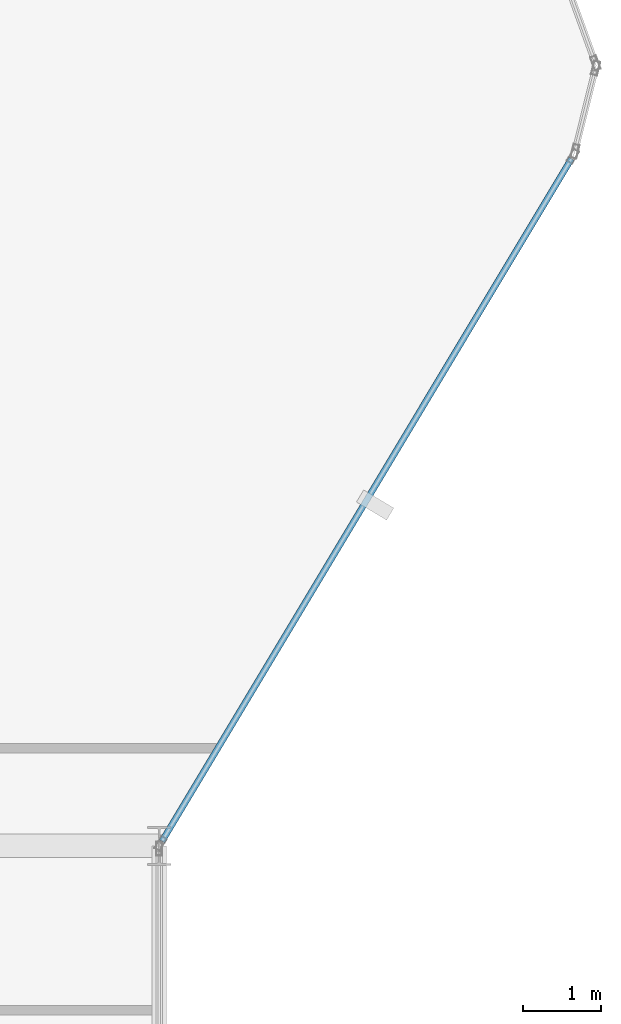
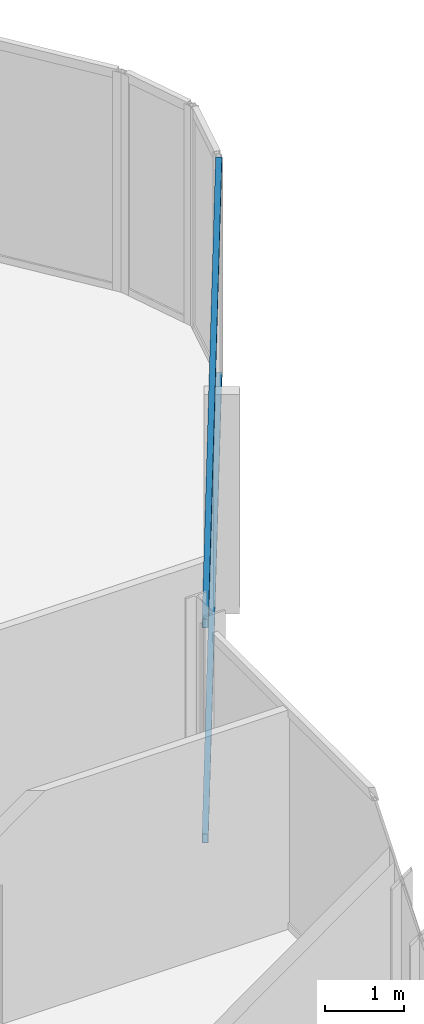
# One storey, part 14 of 31: 2 members, 1 element without a shape of its own.
"""IFC4 building model written with IfcOpenShell, lengths in metres."""

from ifc_helpers import new_model, si_unit, direction, frame, origin, origin_2d, place, context, subcontext, project, spatial, hollow_rectangle, extrude, material, layer, layer_set, material_profile, profile_set, type_object, element, aggregate, save


model = new_model("IFC4")

# Units and contexts
model_context = context("Model", 3, precision=1e-05, world=origin(), true_north=direction((0.0, 1.0)))
body_context = subcontext(model_context, "Body", "Model", "MODEL_VIEW")
ifc_project = project(units=[si_unit("LENGTHUNIT", "METRE"), si_unit("AREAUNIT", "SQUARE_METRE"), si_unit("VOLUMEUNIT", "CUBIC_METRE"), si_unit("PLANEANGLEUNIT", "RADIAN"), si_unit("MASSUNIT", "GRAM", prefix="KILO")], contexts=[model_context])

# Site, building, storey
site_placement = place(None, origin())
site = spatial("IfcSite", under=ifc_project, at=site_placement, CompositionType="ELEMENT")
building_placement = place(site_placement, origin())
building = spatial("IfcBuilding", under=site, at=building_placement, Name="Keshet Zoharim Tower", CompositionType="ELEMENT")
storey_placement = place(building_placement, frame((0.0, 0.0, 140.89990234375)))
storey = spatial("IfcBuildingStorey", under=building, at=storey_placement, Name="L34", CompositionType="ELEMENT", Elevation=140.89990234375)

# Curtain wall, members
ifc_material = material(Name="Aluminium 6063-T6", Category="aluminium")
ifc_layer = layer(ifc_material, 0.159912109375)
ifc_layer_set = layer_set([ifc_layer], Name="Aluminium 6063-T6")
curtain_wall_type = type_object("IfcCurtainWallType", Name="CW-SYS-03", PredefinedType="NOTDEFINED", material=ifc_layer_set)
curtain_wall_placement = place(storey_placement, origin())
curtain_wall = element("IfcCurtainWall", 1, at=curtain_wall_placement, inside=storey, type_object=curtain_wall_type, Name="L34 Unitised Curtain Wall 18", PredefinedType="NOTDEFINED")
ifc_material_profile = material_profile(ifc_material, hollow_rectangle(XDim=0.080078125, YDim=0.139892578125, WallThickness=0.00390625, at=origin_2d()), Name="TRN-80x140")
ifc_profile_set = profile_set([ifc_material_profile], Name="Aluminium 6063-T6")
member_type = type_object("IfcMemberType", Name="CWT-T14", PredefinedType="USERDEFINED", material=ifc_profile_set)
member_1_placement = place(storey_placement, frame((62.27197265625, 36.68701171875, 0.03515625), z_axis=(-0.514467532827, -0.857509858641, 0.0), x_axis=(0.857509858641, -0.514467532827, 0.0)))
member_1 = element("IfcMember", 2, at=member_1_placement, type_object=member_type, Name="CW-03 transom 1.1", ObjectType="TRANSOM", PredefinedType="USERDEFINED", context=body_context, shape_type="SweptSolid", body=[
    extrude(hollow_rectangle(XDim=0.080078125, YDim=0.139892578125, WallThickness=0.00390625, at=origin_2d()), origin(), (0.0, 0.0, 1.0), 10.17724609375),
])
member_2_placement = place(storey_placement, frame((62.27197265625, 36.68701171875, 3.35009765625), z_axis=(-0.514467532827, -0.857509858641, 0.0), x_axis=(0.857509858641, -0.514467532827, 0.0)))
member_2 = element("IfcMember", 3, at=member_2_placement, type_object=member_type, Name="CW-03 transom 1.2", ObjectType="TRANSOM", PredefinedType="USERDEFINED", context=body_context, shape_type="SweptSolid", body=[
    extrude(hollow_rectangle(XDim=0.080078125, YDim=0.139892578125, WallThickness=0.00390625, at=origin_2d()), origin(), (0.0, 0.0, 1.0), 10.17724609375),
])
aggregate(curtain_wall, [member_1, member_2])

save(model, "model.ifc")
